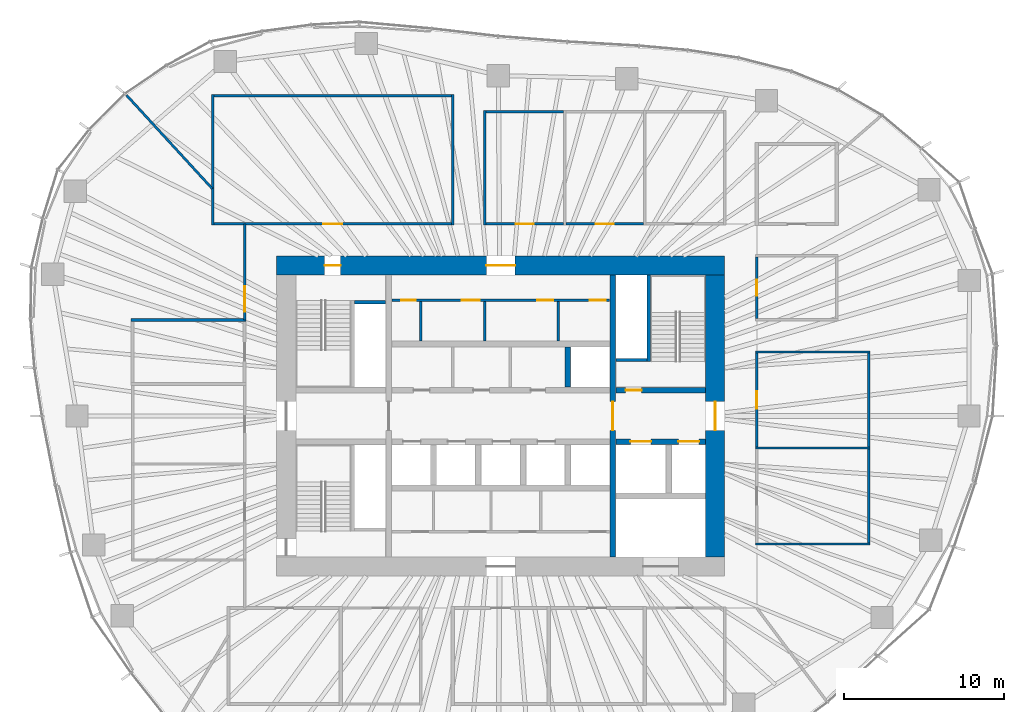
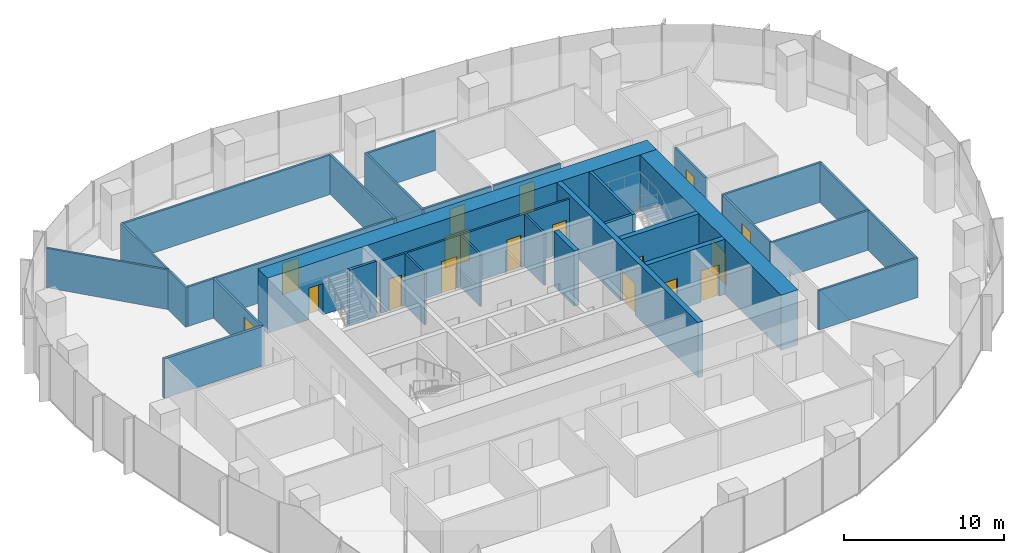
# One storey, part 10 of 18: 31 walls, 17 doors, 17 openings.
"""IFC4 building model written with IfcOpenShell, lengths in metres."""

from ifc_helpers import new_model, si_unit, direction, frame, frame_2d, origin, place, context, subcontext, project, spatial, rectangle, extrude, material, layer, layer_set, type_object, element, fill, save


model = new_model("IFC4")

# Units and contexts
model_context = context("Model", 3, precision=1e-05, world=origin(), true_north=direction((0.0, 1.0)))
body_context = subcontext(model_context, "Body", "Model", "MODEL_VIEW")
ifc_project = project(units=[si_unit("LENGTHUNIT", "METRE"), si_unit("AREAUNIT", "SQUARE_METRE"), si_unit("VOLUMEUNIT", "CUBIC_METRE"), si_unit("PLANEANGLEUNIT", "RADIAN"), si_unit("MASSUNIT", "GRAM", prefix="KILO")], contexts=[model_context])

# Site, building, storey
site_placement = place(None, origin())
site = spatial("IfcSite", under=ifc_project, at=site_placement, CompositionType="ELEMENT")
building_placement = place(site_placement, origin())
building = spatial("IfcBuilding", under=site, at=building_placement, Name="Ghaith Harvest Tower", CompositionType="ELEMENT")
storey_placement = place(building_placement, frame((0.0, 0.0, 147.0)))
storey = spatial("IfcBuildingStorey", under=building, at=storey_placement, Name="L31", CompositionType="ELEMENT", Elevation=147.0)

# Wall
ifc_material_1 = material(Name="Twin-stud gypsum board, acoustic", Category="gypsum")
ifc_layer_1 = layer(ifc_material_1, 0.199951171875)
ifc_layer_set_1 = layer_set([ifc_layer_1], Name="ACOUSTIC PARTITION 200")
wall_type_1 = type_object("IfcWallType", Name="ACOUSTIC PARTITION 200", PredefinedType="PARTITIONING", material=ifc_layer_set_1)
wall_1_placement = place(storey_placement, frame((-15.89990234375, 6.0, 0.0), z_axis=(0.0, 0.0, 1.0), x_axis=(-1.0, 0.0, 0.0)))
element("IfcWall", 1, at=wall_1_placement, inside=storey, type_object=wall_type_1, Name="Partition L31 row W6 cross wall 4", PredefinedType="PARTITIONING", context=body_context, shape_type="SweptSolid", body=[
    extrude(rectangle(XDim=7.2001953125, YDim=0.199951171875, at=frame_2d((3.60009765625, 0.0))), origin(), (0.0, 0.0, 1.0), 3.0),
])

# Wall, openings, doors
ifc_material_2 = material(Name="Concrete blockwork, fair-faced", Category="masonry")
ifc_layer_2 = layer(ifc_material_2, 0.139892578125)
ifc_layer_set_2 = layer_set([ifc_layer_2], Name="CORE PARTITION 140")
wall_type_2 = type_object("IfcWallType", Name="CORE PARTITION 140", PredefinedType="PARTITIONING", material=ifc_layer_set_2)
wall_2_placement = place(storey_placement, frame((-6.800048828125, 7.22998046875, 0.0), z_axis=(0.0, 0.0, 1.0), x_axis=(1.0, 0.0, 0.0)))
wall_2 = element("IfcWall", 2, at=wall_2_placement, inside=storey, type_object=wall_type_2, Name="Core partition L31", PredefinedType="PARTITIONING", context=body_context, shape_type="SweptSolid", body=[
    extrude(rectangle(XDim=13.60009765625, YDim=0.139892578125, at=frame_2d((6.800048828125, 0.0))), origin(), (0.0, 0.0, 1.0), 3.949951171875),
])
opening_1_placement = place(wall_2_placement, frame((0.580078125, 0.0, 0.0)))
opening_1 = element("IfcOpeningElement", 3, at=opening_1_placement, cuts=wall_2, Name="Opening 31-008", PredefinedType="OPENING", context=body_context, shape_type="SweptSolid", body=[
    extrude(rectangle(XDim=0.89990234375, YDim=2.39990234375, at=frame_2d((0.449951171875, 1.199951171875))), frame((0.0, 0.080078125, 0.0), z_axis=(0.0, -1.0, 0.0), x_axis=(1.0, 0.0, 0.0)), (0.0, 0.0, 1.0), 0.159912109375),
])
opening_2_placement = place(wall_2_placement, frame((4.3798828125, 0.0, 0.0)))
opening_2 = element("IfcOpeningElement", 4, at=opening_2_placement, cuts=wall_2, Name="Opening 31-009", PredefinedType="OPENING", context=body_context, shape_type="SweptSolid", body=[
    extrude(rectangle(XDim=1.10009765625, YDim=2.39990234375, at=frame_2d((0.550048828125, 1.199951171875))), frame((0.0, 0.080078125, 0.0), z_axis=(0.0, -1.0, 0.0), x_axis=(1.0, 0.0, 0.0)), (0.0, 0.0, 1.0), 0.159912109375),
])
opening_3_placement = place(wall_2_placement, frame((9.080078125, 0.0, 0.0)))
opening_3 = element("IfcOpeningElement", 5, at=opening_3_placement, cuts=wall_2, Name="Opening 31-010", PredefinedType="OPENING", context=body_context, shape_type="SweptSolid", body=[
    extrude(rectangle(XDim=1.0, YDim=2.39990234375, at=frame_2d((0.5, 1.199951171875))), frame((0.0, 0.080078125, 0.0), z_axis=(0.0, -1.0, 0.0), x_axis=(1.0, 0.0, 0.0)), (0.0, 0.0, 1.0), 0.159912109375),
])
opening_4_placement = place(wall_2_placement, frame((12.35009765625, 0.0, 0.0)))
opening_4 = element("IfcOpeningElement", 6, at=opening_4_placement, cuts=wall_2, Name="Opening 31-011", PredefinedType="OPENING", context=body_context, shape_type="SweptSolid", body=[
    extrude(rectangle(XDim=1.0, YDim=2.39990234375, at=frame_2d((0.5, 1.199951171875))), frame((0.0, 0.080078125, 0.0), z_axis=(0.0, -1.0, 0.0), x_axis=(1.0, 0.0, 0.0)), (0.0, 0.0, 1.0), 0.159912109375),
])
ifc_material_3 = material(Name="Steel fire door", Category="steel")
door_type_1 = type_object("IfcDoorType", Name="D3 FD90 1000x2400", OperationType="SINGLE_SWING_LEFT", PredefinedType="DOOR", material=ifc_material_3)
door_1_placement = place(opening_3_placement, origin())
door_1 = element("IfcDoor", 7, at=door_1_placement, inside=storey, type_object=door_type_1, Name="Male WC door", OperationType="SINGLE_SWING_RIGHT", OverallHeight=2.39990234375, OverallWidth=1.0, PredefinedType="DOOR", context=body_context, shape_type="SweptSolid", body=[
    extrude(rectangle(XDim=1.0, YDim=2.39990234375, at=frame_2d((0.5, 1.199951171875))), frame((0.0, 0.02490234375, 0.0), z_axis=(0.0, -1.0, 0.0), x_axis=(1.0, 0.0, 0.0)), (0.0, 0.0, 1.0), 0.050048828125),
])
fill(opening_3, door_1)
door_2_placement = place(opening_4_placement, origin())
door_2 = element("IfcDoor", 8, at=door_2_placement, inside=storey, type_object=door_type_1, Name="Female WC door", OperationType="SINGLE_SWING_RIGHT", OverallHeight=2.39990234375, OverallWidth=1.0, PredefinedType="DOOR", context=body_context, shape_type="SweptSolid", body=[
    extrude(rectangle(XDim=1.0, YDim=2.39990234375, at=frame_2d((0.5, 1.199951171875))), frame((0.0, 0.02490234375, 0.0), z_axis=(0.0, -1.0, 0.0), x_axis=(1.0, 0.0, 0.0)), (0.0, 0.0, 1.0), 0.050048828125),
])
fill(opening_4, door_2)
ifc_material_4 = material(Name="Steel fire door", Category="steel")
door_type_2 = type_object("IfcDoorType", Name="D5 FD90 900x2400", OperationType="SINGLE_SWING_LEFT", PredefinedType="DOOR", material=ifc_material_4)
door_3_placement = place(opening_1_placement, origin())
door_3 = element("IfcDoor", 9, at=door_3_placement, inside=storey, type_object=door_type_2, Name="Cleaner's store door", OperationType="SINGLE_SWING_LEFT", OverallHeight=2.39990234375, OverallWidth=0.89990234375, PredefinedType="DOOR", context=body_context, shape_type="SweptSolid", body=[
    extrude(rectangle(XDim=0.89990234375, YDim=2.39990234375, at=frame_2d((0.449951171875, 1.199951171875))), frame((0.0, 0.02490234375, 0.0), z_axis=(0.0, -1.0, 0.0), x_axis=(1.0, 0.0, 0.0)), (0.0, 0.0, 1.0), 0.050048828125),
])
fill(opening_1, door_3)
ifc_material_5 = material(Name="Steel fire door", Category="steel")
door_type_3 = type_object("IfcDoorType", Name="D9 FD90 1100x2400", OperationType="SINGLE_SWING_LEFT", PredefinedType="DOOR", material=ifc_material_5)
door_4_placement = place(opening_2_placement, origin())
door_4 = element("IfcDoor", 10, at=door_4_placement, inside=storey, type_object=door_type_3, Name="Accessible WC door", OperationType="SINGLE_SWING_LEFT", OverallHeight=2.39990234375, OverallWidth=1.10009765625, PredefinedType="DOOR", context=body_context, shape_type="SweptSolid", body=[
    extrude(rectangle(XDim=1.10009765625, YDim=2.39990234375, at=frame_2d((0.550048828125, 1.199951171875))), frame((0.0, 0.02490234375, 0.0), z_axis=(0.0, -1.0, 0.0), x_axis=(1.0, 0.0, 0.0)), (0.0, 0.0, 1.0), 0.050048828125),
])
fill(opening_2, door_4)

# Walls
for number, where, z_axis, x_axis, name in (
    (11, (-5.0, 4.699951171875, 0.0), (0.0, 0.0, 1.0), (0.0, 1.0, 0.0), "Core partition L31"),
    (12, (-1.0, 4.699951171875, 0.0), (0.0, 0.0, 1.0), (0.0, 1.0, 0.0), "Core partition L31"),
    (13, (3.60009765625, 4.699951171875, 0.0), (0.0, 0.0, 1.0), (0.0, 1.0, 0.0), "Core partition L31"),
):
    element("IfcWall", number, at=place(storey_placement, frame(where, z_axis=z_axis, x_axis=x_axis)), inside=storey, type_object=wall_type_2, Name=name, PredefinedType="PARTITIONING", context=body_context, shape_type="SweptSolid", body=[
        extrude(rectangle(XDim=2.4599609375, YDim=0.139892578125, at=frame_2d((1.22998046875, 0.0))), origin(), (0.0, 0.0, 1.0), 3.949951171875),
    ])

# Wall, openings, doors
ifc_material_6 = material(Name="Concrete C60/75", Category="concrete")
ifc_layer_3 = layer(ifc_material_6, 1.199951171875)
ifc_layer_set_3 = layer_set([ifc_layer_3], Name="CORE WALL CW1200 C60")
wall_type_3 = type_object("IfcWallType", Name="CORE WALL CW1200 C60", PredefinedType="SHEAR", material=ifc_layer_set_3)
wall_3_placement = place(storey_placement, frame((14.0, 9.39990234375, 0.0), z_axis=(0.0, 0.0, 1.0), x_axis=(-1.0, 0.0, 0.0)))
wall_3 = element("IfcWall", 14, at=wall_3_placement, inside=storey, type_object=wall_type_3, Name="Core wall N L31", PredefinedType="SHEAR", context=body_context, shape_type="SweptSolid", body=[
    extrude(rectangle(XDim=28.0, YDim=1.199951171875, at=frame_2d((14.0, 0.0))), origin(), (0.0, 0.0, 1.0), 4.199951171875),
])
opening_5_placement = place(wall_3_placement, frame((24.0, 0.0, 0.0)))
opening_5 = element("IfcOpeningElement", 15, at=opening_5_placement, cuts=wall_3, Name="Opening 31-005", PredefinedType="OPENING", context=body_context, shape_type="SweptSolid", body=[
    extrude(rectangle(XDim=1.0, YDim=2.39990234375, at=frame_2d((0.5, 1.199951171875))), frame((0.0, 0.60986328125, 0.0), z_axis=(0.0, -1.0, 0.0), x_axis=(1.0, 0.0, 0.0)), (0.0, 0.0, 1.0), 1.219970703125),
])
opening_6_placement = place(wall_3_placement, frame((13.10009765625, 0.0, 0.0)))
opening_6 = element("IfcOpeningElement", 16, at=opening_6_placement, cuts=wall_3, Name="Opening 31-019", PredefinedType="OPENING", context=body_context, shape_type="SweptSolid", body=[
    extrude(rectangle(XDim=1.800048828125, YDim=2.39990234375, at=frame_2d((0.89990234375, 1.199951171875))), frame((0.0, 0.60986328125, 0.0), z_axis=(0.0, -1.0, 0.0), x_axis=(1.0, 0.0, 0.0)), (0.0, 0.0, 1.0), 1.219970703125),
])
door_5_placement = place(opening_5_placement, origin())
door_5 = element("IfcDoor", 17, at=door_5_placement, inside=storey, type_object=door_type_1, Name="Stair ST1 door", OperationType="SINGLE_SWING_RIGHT", OverallHeight=2.39990234375, OverallWidth=1.0, PredefinedType="DOOR", context=body_context, shape_type="SweptSolid", body=[
    extrude(rectangle(XDim=1.0, YDim=2.39990234375, at=frame_2d((0.5, 1.199951171875))), frame((0.0, 0.02490234375, 0.0), z_axis=(0.0, -1.0, 0.0), x_axis=(1.0, 0.0, 0.0)), (0.0, 0.0, 1.0), 0.050048828125),
])
fill(opening_5, door_5)
ifc_material_7 = material(Name="Steel fire door", Category="steel")
door_type_4 = type_object("IfcDoorType", Name="D4 FD90 PAIR 1800x2400", OperationType="DOUBLE_DOOR_SINGLE_SWING", PredefinedType="DOOR", material=ifc_material_7)
door_6_placement = place(opening_6_placement, origin())
door_6 = element("IfcDoor", 18, at=door_6_placement, inside=storey, type_object=door_type_4, Name="Core service corridor doors", OperationType="DOUBLE_DOOR_SINGLE_SWING", OverallHeight=2.39990234375, OverallWidth=1.800048828125, PredefinedType="DOOR", context=body_context, shape_type="SweptSolid", body=[
    extrude(rectangle(XDim=1.800048828125, YDim=2.39990234375, at=frame_2d((0.89990234375, 1.199951171875))), frame((0.0, 0.02490234375, 0.0), z_axis=(0.0, -1.0, 0.0), x_axis=(1.0, 0.0, 0.0)), (0.0, 0.0, 1.0), 0.050048828125),
])
fill(opening_6, door_6)

# Wall, opening, door
wall_4_placement = place(storey_placement, frame((13.39990234375, -8.800048828125, 0.0), z_axis=(0.0, 0.0, 1.0), x_axis=(0.0, 1.0, 0.0)))
wall_4 = element("IfcWall", 19, at=wall_4_placement, inside=storey, type_object=wall_type_3, Name="Core wall E L31", PredefinedType="SHEAR", context=body_context, shape_type="SweptSolid", body=[
    extrude(rectangle(XDim=17.60009765625, YDim=1.199951171875, at=frame_2d((8.800048828125, 0.0))), origin(), (0.0, 0.0, 1.0), 4.199951171875),
])
opening_7_placement = place(wall_4_placement, frame((7.89990234375, 0.0, 0.0)))
opening_7 = element("IfcOpeningElement", 20, at=opening_7_placement, cuts=wall_4, Name="Opening 31-002", PredefinedType="OPENING", context=body_context, shape_type="SweptSolid", body=[
    extrude(rectangle(XDim=1.800048828125, YDim=2.39990234375, at=frame_2d((0.89990234375, 1.199951171875))), frame((0.0, 0.60986328125, 0.0), z_axis=(0.0, -1.0, 0.0), x_axis=(1.0, 0.0, 0.0)), (0.0, 0.0, 1.0), 1.219970703125),
])
door_7_placement = place(opening_7_placement, origin())
door_7 = element("IfcDoor", 21, at=door_7_placement, inside=storey, type_object=door_type_4, Name="Fire-fighting lobby doors", OperationType="DOUBLE_DOOR_SINGLE_SWING", OverallHeight=2.39990234375, OverallWidth=1.800048828125, PredefinedType="DOOR", context=body_context, shape_type="SweptSolid", body=[
    extrude(rectangle(XDim=1.800048828125, YDim=2.39990234375, at=frame_2d((0.89990234375, 1.199951171875))), frame((0.0, 0.02490234375, 0.0), z_axis=(0.0, -1.0, 0.0), x_axis=(1.0, 0.0, 0.0)), (0.0, 0.0, 1.0), 0.050048828125),
])
fill(opening_7, door_7)

# Walls
ifc_material_8 = material(Name="Gypsum board on steel studs", Category="steel")
ifc_layer_4 = layer(ifc_material_8, 0.14990234375)
ifc_layer_set_4 = layer_set([ifc_layer_4], Name="PARTITION 150")
wall_type_4 = type_object("IfcWallType", Name="PARTITION 150", PredefinedType="PARTITIONING", material=ifc_layer_set_4)
for number, where, z_axis, x_axis, name in (
    (22, (-18.0, 11.925048828125, 0.0), (0.0, 0.0, 1.0), (0.0, 1.0, 0.0), "Partition L31 row N1 cross wall 1"),
    (23, (-3.0, 11.925048828125, 0.0), (0.0, 0.0, 1.0), (0.0, 1.0, 0.0), "Partition L31 row N1 cross wall 2"),
):
    element("IfcWall", number, at=place(storey_placement, frame(where, z_axis=z_axis, x_axis=x_axis)), inside=storey, type_object=wall_type_4, Name=name, PredefinedType="PARTITIONING", context=body_context, shape_type="SweptSolid", body=[
        extrude(rectangle(XDim=8.14990234375, YDim=0.14990234375, at=frame_2d((4.074951171875, 0.0))), origin(), (0.0, 0.0, 1.0), 3.0),
    ])

# Wall, opening, door
wall_5_placement = place(storey_placement, frame((-17.925048828125, 12.0, 0.0), z_axis=(0.0, 0.0, 1.0), x_axis=(1.0, 0.0, 0.0)))
wall_5 = element("IfcWall", 24, at=wall_5_placement, inside=storey, type_object=wall_type_4, Name="Partition L31-01", PredefinedType="PARTITIONING", context=body_context, shape_type="SweptSolid", body=[
    extrude(rectangle(XDim=14.85009765625, YDim=0.14990234375, at=frame_2d((7.425048828125, 0.0))), origin(), (0.0, 0.0, 1.0), 3.0),
])
opening_8_placement = place(wall_5_placement, frame((6.824951171875, 0.0, 0.0)))
opening_8 = element("IfcOpeningElement", 25, at=opening_8_placement, cuts=wall_5, Name="Opening 31-028", PredefinedType="OPENING", context=body_context, shape_type="SweptSolid", body=[
    extrude(rectangle(XDim=1.199951171875, YDim=2.39990234375, at=frame_2d((0.60009765625, 1.199951171875))), frame((0.0, 0.0849609375, 0.0), z_axis=(0.0, -1.0, 0.0), x_axis=(1.0, 0.0, 0.0)), (0.0, 0.0, 1.0), 0.169921875),
])
ifc_material_9 = material(Name="Timber door", Category="wood")
door_type_5 = type_object("IfcDoorType", Name="D11 GLAZED 1200x2400", OperationType="SINGLE_SWING_LEFT", PredefinedType="DOOR", material=ifc_material_9)
door_8_placement = place(opening_8_placement, origin())
door_8 = element("IfcDoor", 26, at=door_8_placement, inside=storey, type_object=door_type_5, Name="Operations room door", OperationType="SINGLE_SWING_LEFT", OverallHeight=2.39990234375, OverallWidth=1.199951171875, PredefinedType="DOOR", context=body_context, shape_type="SweptSolid", body=[
    extrude(rectangle(XDim=1.199951171875, YDim=2.39990234375, at=frame_2d((0.60009765625, 1.199951171875))), frame((0.0, 0.02490234375, 0.0), z_axis=(0.0, -1.0, 0.0), x_axis=(1.0, 0.0, 0.0)), (0.0, 0.0, 1.0), 0.050048828125),
])
fill(opening_8, door_8)

# Walls
wall_6_placement = place(storey_placement, frame((-17.925048828125, 20.0, 0.0), z_axis=(0.0, 0.0, 1.0), x_axis=(1.0, 0.0, 0.0)))
element("IfcWall", 27, at=wall_6_placement, inside=storey, type_object=wall_type_4, Name="Partition L31-01", PredefinedType="PARTITIONING", context=body_context, shape_type="SweptSolid", body=[
    extrude(rectangle(XDim=14.85009765625, YDim=0.14990234375, at=frame_2d((7.425048828125, 0.0))), origin(), (0.0, 0.0, 1.0), 3.0),
])
wall_7_placement = place(storey_placement, frame((-1.0, 11.925048828125, 0.0), z_axis=(0.0, 0.0, 1.0), x_axis=(0.0, 1.0, 0.0)))
element("IfcWall", 28, at=wall_7_placement, inside=storey, type_object=wall_type_4, Name="Partition L31 row N2 cross wall 1", PredefinedType="PARTITIONING", context=body_context, shape_type="SweptSolid", body=[
    extrude(rectangle(XDim=7.14990234375, YDim=0.14990234375, at=frame_2d((3.574951171875, 0.0))), origin(), (0.0, 0.0, 1.0), 3.0),
])

# Wall, opening, door
wall_8_placement = place(storey_placement, frame((-0.925048828125, 12.0, 0.0), z_axis=(0.0, 0.0, 1.0), x_axis=(1.0, 0.0, 0.0)))
wall_8 = element("IfcWall", 29, at=wall_8_placement, inside=storey, type_object=wall_type_4, Name="Partition L31-02", PredefinedType="PARTITIONING", context=body_context, shape_type="SweptSolid", body=[
    extrude(rectangle(XDim=4.85009765625, YDim=0.14990234375, at=frame_2d((2.425048828125, 0.0))), origin(), (0.0, 0.0, 1.0), 3.0),
])
opening_9_placement = place(wall_8_placement, frame((1.875, 0.0, 0.0)))
opening_9 = element("IfcOpeningElement", 30, at=opening_9_placement, cuts=wall_8, Name="Opening 31-029", PredefinedType="OPENING", context=body_context, shape_type="SweptSolid", body=[
    extrude(rectangle(XDim=1.10009765625, YDim=2.300048828125, at=frame_2d((0.550048828125, 1.14990234375))), frame((0.0, 0.0849609375, 0.0), z_axis=(0.0, -1.0, 0.0), x_axis=(1.0, 0.0, 0.0)), (0.0, 0.0, 1.0), 0.169921875),
])
ifc_material_10 = material(Name="Timber-framed glazed door", Category="wood")
door_type_6 = type_object("IfcDoorType", Name="D12 GLAZED OFFICE 1100x2300", OperationType="SINGLE_SWING_LEFT", PredefinedType="DOOR", material=ifc_material_10)
door_9_placement = place(opening_9_placement, origin())
door_9 = element("IfcDoor", 31, at=door_9_placement, inside=storey, type_object=door_type_6, Name="Office door", OperationType="SINGLE_SWING_LEFT", OverallHeight=2.300048828125, OverallWidth=1.10009765625, PredefinedType="DOOR", context=body_context, shape_type="SweptSolid", body=[
    extrude(rectangle(XDim=1.10009765625, YDim=2.300048828125, at=frame_2d((0.550048828125, 1.14990234375))), frame((0.0, 0.02490234375, 0.0), z_axis=(0.0, -1.0, 0.0), x_axis=(1.0, 0.0, 0.0)), (0.0, 0.0, 1.0), 0.050048828125),
])
fill(opening_9, door_9)

# Wall
wall_9_placement = place(storey_placement, frame((-0.925048828125, 19.0, 0.0), z_axis=(0.0, 0.0, 1.0), x_axis=(1.0, 0.0, 0.0)))
element("IfcWall", 32, at=wall_9_placement, inside=storey, type_object=wall_type_4, Name="Partition L31-02", PredefinedType="PARTITIONING", context=body_context, shape_type="SweptSolid", body=[
    extrude(rectangle(XDim=4.85009765625, YDim=0.14990234375, at=frame_2d((2.425048828125, 0.0))), origin(), (0.0, 0.0, 1.0), 3.0),
])

# Wall, opening, door
wall_10_placement = place(storey_placement, frame((4.074951171875, 12.0, 0.0), z_axis=(0.0, 0.0, 1.0), x_axis=(1.0, 0.0, 0.0)))
wall_10 = element("IfcWall", 33, at=wall_10_placement, inside=storey, type_object=wall_type_4, Name="Partition L31-03", PredefinedType="PARTITIONING", context=body_context, shape_type="SweptSolid", body=[
    extrude(rectangle(XDim=4.85009765625, YDim=0.14990234375, at=frame_2d((2.425048828125, 0.0))), origin(), (0.0, 0.0, 1.0), 3.0),
])
opening_10_placement = place(wall_10_placement, frame((1.875, 0.0, 0.0)))
opening_10 = element("IfcOpeningElement", 34, at=opening_10_placement, cuts=wall_10, Name="Opening 31-030", PredefinedType="OPENING", context=body_context, shape_type="SweptSolid", body=[
    extrude(rectangle(XDim=1.10009765625, YDim=2.300048828125, at=frame_2d((0.550048828125, 1.14990234375))), frame((0.0, 0.0849609375, 0.0), z_axis=(0.0, -1.0, 0.0), x_axis=(1.0, 0.0, 0.0)), (0.0, 0.0, 1.0), 0.169921875),
])
door_10_placement = place(opening_10_placement, origin())
door_10 = element("IfcDoor", 35, at=door_10_placement, inside=storey, type_object=door_type_6, Name="Office door", OperationType="SINGLE_SWING_LEFT", OverallHeight=2.300048828125, OverallWidth=1.10009765625, PredefinedType="DOOR", context=body_context, shape_type="SweptSolid", body=[
    extrude(rectangle(XDim=1.10009765625, YDim=2.300048828125, at=frame_2d((0.550048828125, 1.14990234375))), frame((0.0, 0.02490234375, 0.0), z_axis=(0.0, -1.0, 0.0), x_axis=(1.0, 0.0, 0.0)), (0.0, 0.0, 1.0), 0.050048828125),
])
fill(opening_10, door_10)

# Walls
for number, where, z_axis, x_axis, name in (
    (36, (15.925048828125, -8.0, 0.0), (0.0, 0.0, 1.0), (1.0, 0.0, 0.0), "Partition L31 row E5 cross wall 1"),
    (37, (15.925048828125, -2.0, 0.0), (0.0, 0.0, 1.0), (1.0, 0.0, 0.0), "Partition L31 row E5 cross wall 2"),
    (38, (15.925048828125, 4.0, 0.0), (0.0, 0.0, 1.0), (1.0, 0.0, 0.0), "Partition L31 row E5 cross wall 3"),
):
    element("IfcWall", number, at=place(storey_placement, frame(where, z_axis=z_axis, x_axis=x_axis)), inside=storey, type_object=wall_type_4, Name=name, PredefinedType="PARTITIONING", context=body_context, shape_type="SweptSolid", body=[
        extrude(rectangle(XDim=7.14990234375, YDim=0.14990234375, at=frame_2d((3.574951171875, 0.0))), origin(), (0.0, 0.0, 1.0), 3.0),
    ])
wall_11_placement = place(storey_placement, frame((23.0, -7.925048828125, 0.0), z_axis=(0.0, 0.0, 1.0), x_axis=(0.0, 1.0, 0.0)))
element("IfcWall", 39, at=wall_11_placement, inside=storey, type_object=wall_type_4, Name="Partition L31-10", PredefinedType="PARTITIONING", context=body_context, shape_type="SweptSolid", body=[
    extrude(rectangle(XDim=5.85009765625, YDim=0.14990234375, at=frame_2d((2.925048828125, 0.0))), origin(), (0.0, 0.0, 1.0), 3.0),
])

# Wall, opening, door
wall_12_placement = place(storey_placement, frame((16.0, -1.925048828125, 0.0), z_axis=(0.0, 0.0, 1.0), x_axis=(0.0, 1.0, 0.0)))
wall_12 = element("IfcWall", 40, at=wall_12_placement, inside=storey, type_object=wall_type_4, Name="Partition L31-11", PredefinedType="PARTITIONING", context=body_context, shape_type="SweptSolid", body=[
    extrude(rectangle(XDim=5.85009765625, YDim=0.14990234375, at=frame_2d((2.925048828125, 0.0))), origin(), (0.0, 0.0, 1.0), 3.0),
])
opening_11_placement = place(wall_12_placement, frame((2.375, 0.0, 0.0)))
opening_11 = element("IfcOpeningElement", 41, at=opening_11_placement, cuts=wall_12, Name="Opening 31-038", PredefinedType="OPENING", context=body_context, shape_type="SweptSolid", body=[
    extrude(rectangle(XDim=1.10009765625, YDim=2.300048828125, at=frame_2d((0.550048828125, 1.14990234375))), frame((0.0, 0.0849609375, 0.0), z_axis=(0.0, -1.0, 0.0), x_axis=(1.0, 0.0, 0.0)), (0.0, 0.0, 1.0), 0.169921875),
])
door_11_placement = place(opening_11_placement, origin())
door_11 = element("IfcDoor", 42, at=door_11_placement, inside=storey, type_object=door_type_6, Name="Office door", OperationType="SINGLE_SWING_LEFT", OverallHeight=2.300048828125, OverallWidth=1.10009765625, PredefinedType="DOOR", context=body_context, shape_type="SweptSolid", body=[
    extrude(rectangle(XDim=1.10009765625, YDim=2.300048828125, at=frame_2d((0.550048828125, 1.14990234375))), frame((0.0, 0.02490234375, 0.0), z_axis=(0.0, -1.0, 0.0), x_axis=(1.0, 0.0, 0.0)), (0.0, 0.0, 1.0), 0.050048828125),
])
fill(opening_11, door_11)

# Wall
wall_13_placement = place(storey_placement, frame((23.0, -1.925048828125, 0.0), z_axis=(0.0, 0.0, 1.0), x_axis=(0.0, 1.0, 0.0)))
element("IfcWall", 43, at=wall_13_placement, inside=storey, type_object=wall_type_4, Name="Partition L31-11", PredefinedType="PARTITIONING", context=body_context, shape_type="SweptSolid", body=[
    extrude(rectangle(XDim=5.85009765625, YDim=0.14990234375, at=frame_2d((2.925048828125, 0.0))), origin(), (0.0, 0.0, 1.0), 3.0),
])

# Wall, opening, door
wall_14_placement = place(storey_placement, frame((16.0, 6.074951171875, 0.0), z_axis=(0.0, 0.0, 1.0), x_axis=(0.0, 1.0, 0.0)))
wall_14 = element("IfcWall", 44, at=wall_14_placement, inside=storey, type_object=wall_type_4, Name="Partition L31-16", PredefinedType="PARTITIONING", context=body_context, shape_type="SweptSolid", body=[
    extrude(rectangle(XDim=3.85009765625, YDim=0.14990234375, at=frame_2d((1.925048828125, 0.0))), origin(), (0.0, 0.0, 1.0), 3.0),
])
opening_12_placement = place(wall_14_placement, frame((1.425048828125, 0.0, 0.0)))
opening_12 = element("IfcOpeningElement", 45, at=opening_12_placement, cuts=wall_14, Name="Opening 31-043", PredefinedType="OPENING", context=body_context, shape_type="SweptSolid", body=[
    extrude(rectangle(XDim=1.0, YDim=2.199951171875, at=frame_2d((0.5, 1.10009765625))), frame((0.0, 0.0849609375, 0.0), z_axis=(0.0, -1.0, 0.0), x_axis=(1.0, 0.0, 0.0)), (0.0, 0.0, 1.0), 0.169921875),
])
ifc_material_11 = material(Name="Timber door", Category="wood")
door_type_7 = type_object("IfcDoorType", Name="D1 SINGLE 1000x2200", OperationType="SINGLE_SWING_LEFT", PredefinedType="DOOR", material=ifc_material_11)
door_12_placement = place(opening_12_placement, origin())
door_12 = element("IfcDoor", 46, at=door_12_placement, inside=storey, type_object=door_type_7, Name="Store door", OperationType="SINGLE_SWING_LEFT", OverallHeight=2.199951171875, OverallWidth=1.0, PredefinedType="DOOR", context=body_context, shape_type="SweptSolid", body=[
    extrude(rectangle(XDim=1.0, YDim=2.199951171875, at=frame_2d((0.5, 1.10009765625))), frame((0.0, 0.02490234375, 0.0), z_axis=(0.0, -1.0, 0.0), x_axis=(1.0, 0.0, 0.0)), (0.0, 0.0, 1.0), 0.050048828125),
])
fill(opening_12, door_12)

# Wall
wall_15_placement = place(storey_placement, frame((-18.02001953125, 14.200927734375, 0.0), z_axis=(0.0, 0.0, 1.0), x_axis=(-0.676162058246, 0.736752923977, 0.0)))
element("IfcWall", 47, at=wall_15_placement, inside=storey, type_object=wall_type_4, Name="Partition L31 zone division", PredefinedType="PARTITIONING", context=body_context, shape_type="SweptSolid", body=[
    extrude(rectangle(XDim=7.933837890625, YDim=0.14990234375, at=frame_2d((3.966796875, 0.0))), origin(), (0.0, 0.0, 1.0), 3.0),
])

# Wall, opening, door
wall_16_placement = place(storey_placement, frame((-16.0, 12.0, 0.0), z_axis=(0.0, 0.0, 1.0), x_axis=(0.0, -1.0, 0.0)))
wall_16 = element("IfcWall", 48, at=wall_16_placement, inside=storey, type_object=wall_type_4, Name="Partition L31 zone enclosure", PredefinedType="PARTITIONING", context=body_context, shape_type="SweptSolid", body=[
    extrude(rectangle(XDim=6.0, YDim=0.14990234375, at=frame_2d((3.0, 0.0))), origin(), (0.0, 0.0, 1.0), 3.0),
])
opening_13_placement = place(wall_16_placement, frame((3.89990234375, 0.0, 0.0)))
opening_13 = element("IfcOpeningElement", 49, at=opening_13_placement, cuts=wall_16, Name="Opening 31-044", PredefinedType="OPENING", context=body_context, shape_type="SweptSolid", body=[
    extrude(rectangle(XDim=1.60009765625, YDim=2.39990234375, at=frame_2d((0.800048828125, 1.199951171875))), frame((0.0, 0.0849609375, 0.0), z_axis=(0.0, -1.0, 0.0), x_axis=(1.0, 0.0, 0.0)), (0.0, 0.0, 1.0), 0.169921875),
])
ifc_material_12 = material(Name="Timber door", Category="wood")
door_type_8 = type_object("IfcDoorType", Name="D2 PAIR 1600x2400", OperationType="DOUBLE_DOOR_SINGLE_SWING", PredefinedType="DOOR", material=ifc_material_12)
door_13_placement = place(opening_13_placement, origin())
door_13 = element("IfcDoor", 50, at=door_13_placement, inside=storey, type_object=door_type_8, Name="Operations workplace west door", OperationType="DOUBLE_DOOR_SINGLE_SWING", OverallHeight=2.39990234375, OverallWidth=1.60009765625, PredefinedType="DOOR", context=body_context, shape_type="SweptSolid", body=[
    extrude(rectangle(XDim=1.60009765625, YDim=2.39990234375, at=frame_2d((0.800048828125, 1.199951171875))), frame((0.0, 0.02490234375, 0.0), z_axis=(0.0, -1.0, 0.0), x_axis=(1.0, 0.0, 0.0)), (0.0, 0.0, 1.0), 0.050048828125),
])
fill(opening_13, door_13)

ifc_material_13 = material(Name="Concrete C60/75", Category="concrete")
ifc_layer_5 = layer(ifc_material_13, 0.35009765625)
ifc_layer_set_5 = layer_set([ifc_layer_5], Name="SHAFT WALL 350")
wall_type_5 = type_object("IfcWallType", Name="SHAFT WALL 350", PredefinedType="SHEAR", material=ifc_layer_set_5)
wall_17_placement = place(storey_placement, frame((7.0, -8.800048828125, 0.0), z_axis=(0.0, 0.0, 1.0), x_axis=(0.0, 1.0, 0.0)))
wall_17 = element("IfcWall", 51, at=wall_17_placement, inside=storey, type_object=wall_type_5, Name="Shaft wall W7E L31", PredefinedType="SHEAR", context=body_context, shape_type="SweptSolid", body=[
    extrude(rectangle(XDim=17.60009765625, YDim=0.35009765625, at=frame_2d((8.800048828125, 0.0))), origin(), (0.0, 0.0, 1.0), 4.199951171875),
])
opening_14_placement = place(wall_17_placement, frame((7.89990234375, 0.0, 0.0)))
opening_14 = element("IfcOpeningElement", 52, at=opening_14_placement, cuts=wall_17, Name="Opening 31-004", PredefinedType="OPENING", context=body_context, shape_type="SweptSolid", body=[
    extrude(rectangle(XDim=1.800048828125, YDim=2.39990234375, at=frame_2d((0.89990234375, 1.199951171875))), frame((0.0, 0.18505859375, 0.0), z_axis=(0.0, -1.0, 0.0), x_axis=(1.0, 0.0, 0.0)), (0.0, 0.0, 1.0), 0.3701171875),
])
door_14_placement = place(opening_14_placement, origin())
door_14 = element("IfcDoor", 53, at=door_14_placement, inside=storey, type_object=door_type_4, Name="Lift lobby doors, east", OperationType="DOUBLE_DOOR_SINGLE_SWING", OverallHeight=2.39990234375, OverallWidth=1.800048828125, PredefinedType="DOOR", context=body_context, shape_type="SweptSolid", body=[
    extrude(rectangle(XDim=1.800048828125, YDim=2.39990234375, at=frame_2d((0.89990234375, 1.199951171875))), frame((0.0, 0.02490234375, 0.0), z_axis=(0.0, -1.0, 0.0), x_axis=(1.0, 0.0, 0.0)), (0.0, 0.0, 1.0), 0.050048828125),
])
fill(opening_14, door_14)

wall_18_placement = place(storey_placement, frame((7.199951171875, 1.60009765625, 0.0), z_axis=(0.0, 0.0, 1.0), x_axis=(1.0, 0.0, 0.0)))
wall_18 = element("IfcWall", 54, at=wall_18_placement, inside=storey, type_object=wall_type_5, Name="Shaft wall EN L31", PredefinedType="SHEAR", context=body_context, shape_type="SweptSolid", body=[
    extrude(rectangle(XDim=5.60009765625, YDim=0.35009765625, at=frame_2d((2.800048828125, 0.0))), origin(), (0.0, 0.0, 1.0), 4.199951171875),
])
opening_15_placement = place(wall_18_placement, frame((0.60009765625, 0.0, 0.0)))
opening_15 = element("IfcOpeningElement", 55, at=opening_15_placement, cuts=wall_18, Name="Opening 31-007", PredefinedType="OPENING", context=body_context, shape_type="SweptSolid", body=[
    extrude(rectangle(XDim=1.0, YDim=2.39990234375, at=frame_2d((0.5, 1.199951171875))), frame((0.0, 0.18505859375, 0.0), z_axis=(0.0, -1.0, 0.0), x_axis=(1.0, 0.0, 0.0)), (0.0, 0.0, 1.0), 0.3701171875),
])
door_15_placement = place(opening_15_placement, origin())
door_15 = element("IfcDoor", 56, at=door_15_placement, inside=storey, type_object=door_type_1, Name="Stair ST2 door", OperationType="SINGLE_SWING_LEFT", OverallHeight=2.39990234375, OverallWidth=1.0, PredefinedType="DOOR", context=body_context, shape_type="SweptSolid", body=[
    extrude(rectangle(XDim=1.0, YDim=2.39990234375, at=frame_2d((0.5, 1.199951171875))), frame((0.0, 0.02490234375, 0.0), z_axis=(0.0, -1.0, 0.0), x_axis=(1.0, 0.0, 0.0)), (0.0, 0.0, 1.0), 0.050048828125),
])
fill(opening_15, door_15)

# Wall, openings, doors
wall_19_placement = place(storey_placement, frame((7.199951171875, -1.60009765625, 0.0), z_axis=(0.0, 0.0, 1.0), x_axis=(1.0, 0.0, 0.0)))
wall_19 = element("IfcWall", 57, at=wall_19_placement, inside=storey, type_object=wall_type_5, Name="Shaft wall ES L31", PredefinedType="SHEAR", context=body_context, shape_type="SweptSolid", body=[
    extrude(rectangle(XDim=5.60009765625, YDim=0.35009765625, at=frame_2d((2.800048828125, 0.0))), origin(), (0.0, 0.0, 1.0), 4.199951171875),
])
opening_16_placement = place(wall_19_placement, frame((0.89990234375, 0.0, 0.0)))
opening_16 = element("IfcOpeningElement", 58, at=opening_16_placement, cuts=wall_19, Name="Opening 31-025", PredefinedType="OPENING", context=body_context, shape_type="SweptSolid", body=[
    extrude(rectangle(XDim=1.300048828125, YDim=2.39990234375, at=frame_2d((0.64990234375, 1.199951171875))), frame((0.0, 0.18505859375, 0.0), z_axis=(0.0, -1.0, 0.0), x_axis=(1.0, 0.0, 0.0)), (0.0, 0.0, 1.0), 0.3701171875),
])
opening_17_placement = place(wall_19_placement, frame((3.89990234375, 0.0, 0.0)))
opening_17 = element("IfcOpeningElement", 59, at=opening_17_placement, cuts=wall_19, Name="Opening 31-026", PredefinedType="OPENING", context=body_context, shape_type="SweptSolid", body=[
    extrude(rectangle(XDim=1.300048828125, YDim=2.39990234375, at=frame_2d((0.64990234375, 1.199951171875))), frame((0.0, 0.18505859375, 0.0), z_axis=(0.0, -1.0, 0.0), x_axis=(1.0, 0.0, 0.0)), (0.0, 0.0, 1.0), 0.3701171875),
])
ifc_material_14 = material(Name="Steel fire door", Category="steel")
door_type_9 = type_object("IfcDoorType", Name="LD2 LANDING 1300x2400", OperationType="DOUBLE_DOOR_SLIDING", PredefinedType="DOOR", material=ifc_material_14)
door_16_placement = place(opening_16_placement, origin())
door_16 = element("IfcDoor", 60, at=door_16_placement, inside=storey, type_object=door_type_9, Name="Landing door, fire service lift FL1", OperationType="DOUBLE_DOOR_SLIDING", OverallHeight=2.39990234375, OverallWidth=1.300048828125, PredefinedType="DOOR", context=body_context, shape_type="SweptSolid", body=[
    extrude(rectangle(XDim=1.300048828125, YDim=2.39990234375, at=frame_2d((0.64990234375, 1.199951171875))), frame((0.0, 0.02490234375, 0.0), z_axis=(0.0, -1.0, 0.0), x_axis=(1.0, 0.0, 0.0)), (0.0, 0.0, 1.0), 0.050048828125),
])
fill(opening_16, door_16)
door_17_placement = place(opening_17_placement, origin())
door_17 = element("IfcDoor", 61, at=door_17_placement, inside=storey, type_object=door_type_9, Name="Landing door, fire service lift FL2", OperationType="DOUBLE_DOOR_SLIDING", OverallHeight=2.39990234375, OverallWidth=1.300048828125, PredefinedType="DOOR", context=body_context, shape_type="SweptSolid", body=[
    extrude(rectangle(XDim=1.300048828125, YDim=2.39990234375, at=frame_2d((0.64990234375, 1.199951171875))), frame((0.0, 0.02490234375, 0.0), z_axis=(0.0, -1.0, 0.0), x_axis=(1.0, 0.0, 0.0)), (0.0, 0.0, 1.0), 0.050048828125),
])
fill(opening_17, door_17)

# Walls
wall_20_placement = place(storey_placement, frame((4.199951171875, 1.800048828125, 0.0), z_axis=(0.0, 0.0, 1.0), x_axis=(0.0, 1.0, 0.0)))
element("IfcWall", 62, at=wall_20_placement, inside=storey, type_object=wall_type_5, Name="Shaft wall DN4 L31", PredefinedType="SHEAR", context=body_context, shape_type="SweptSolid", body=[
    extrude(rectangle(XDim=2.5, YDim=0.35009765625, at=frame_2d((1.25, 0.0))), origin(), (0.0, 0.0, 1.0), 4.199951171875),
])
ifc_material_15 = material(Name="Concrete C40/50", Category="concrete")
ifc_layer_6 = layer(ifc_material_15, 0.199951171875)
ifc_layer_set_6 = layer_set([ifc_layer_6], Name="STAIR SPINE WALL RC200")
wall_type_6 = type_object("IfcWallType", Name="STAIR SPINE WALL RC200", PredefinedType="SOLIDWALL", material=ifc_layer_set_6)
wall_21_placement = place(storey_placement, frame((-9.14990234375, 7.10009765625, 0.0), z_axis=(0.0, 0.0, 1.0), x_axis=(1.0, 0.0, 0.0)))
element("IfcWall", 63, at=wall_21_placement, inside=storey, type_object=wall_type_6, Name="Stair ST1 spine wall return L31", PredefinedType="SOLIDWALL", context=body_context, shape_type="SweptSolid", body=[
    extrude(rectangle(XDim=1.949951171875, YDim=0.199951171875, at=frame_2d((0.97509765625, 0.0))), origin(), (0.0, 0.0, 1.0), 4.199951171875),
])
wall_22_placement = place(storey_placement, frame((9.25, 3.39990234375, 0.0), z_axis=(0.0, 0.0, 1.0), x_axis=(0.0, 1.0, 0.0)))
element("IfcWall", 64, at=wall_22_placement, inside=storey, type_object=wall_type_6, Name="Stair ST2 spine wall L31", PredefinedType="SOLIDWALL", context=body_context, shape_type="SweptSolid", body=[
    extrude(rectangle(XDim=5.400146484375, YDim=0.199951171875, at=frame_2d((2.7001953125, 0.0))), origin(), (0.0, 0.0, 1.0), 4.199951171875),
])
wall_23_placement = place(storey_placement, frame((9.14990234375, 3.5, 0.0), z_axis=(0.0, 0.0, 1.0), x_axis=(-1.0, 0.0, 0.0)))
element("IfcWall", 65, at=wall_23_placement, inside=storey, type_object=wall_type_6, Name="Stair ST2 spine wall return L31", PredefinedType="SOLIDWALL", context=body_context, shape_type="SweptSolid", body=[
    extrude(rectangle(XDim=1.949951171875, YDim=0.199951171875, at=frame_2d((0.97509765625, 0.0))), origin(), (0.0, 0.0, 1.0), 4.199951171875),
])

save(model, "model.ifc")
